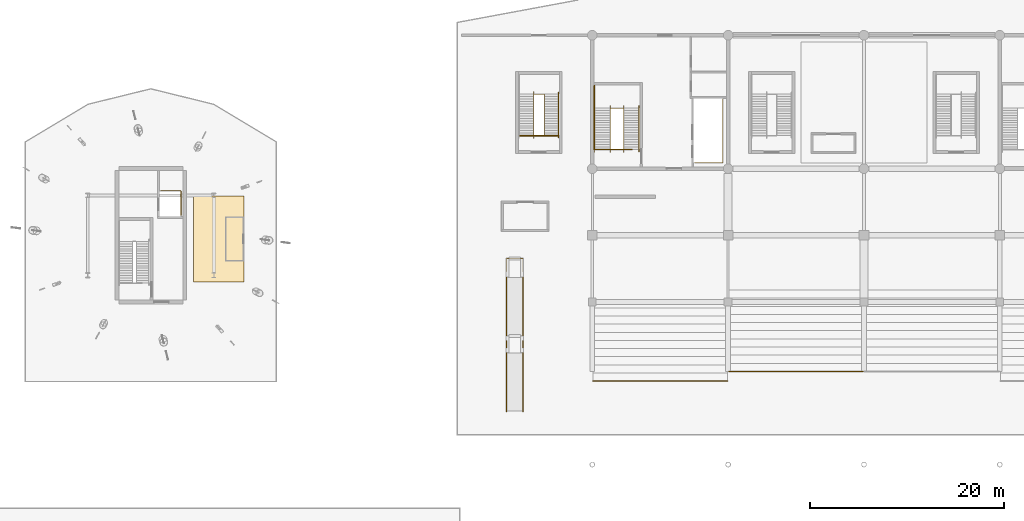
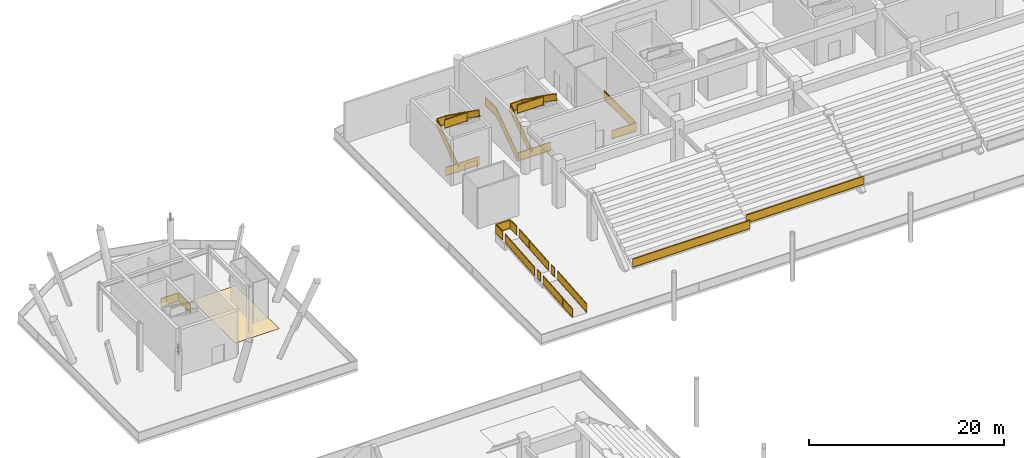
# One storey, part 69 of 73: 18 railings, 1 covering.
"""IFC4 building model written with IfcOpenShell, lengths in metres."""

import ifcopenshell
import ifcopenshell.guid

model = None  # the IFC model being written
_history = None  # IfcOwnerHistory: only IFC2X3 demands one
_inside = {}  # id of a spatial element -> (the spatial element, [elements in it])
_under = {}  # id of a project, library or spatial element -> (it, [spatial elements below it])
_declared = {}  # id of a project -> (the project, [libraries it declares])
_typed = {}  # id of a type object -> (the type object, [elements of that type])
_made_of = {}  # id of a material, layer set ... -> (it, [elements and type objects made of it])


def new_model(schema):
    """Start an empty IFC model of exactly this schema.

    Asked for "IFC4X3", IfcOpenShell would pick the latest addendum, in which some entities
    have other attributes; the version numbers below select the first issue.
    IFC2X3 requires an IfcOwnerHistory on every rooted entity: one is made here for all.
    """
    global model, _history
    if schema == "IFC4X3":
        model = ifcopenshell.file(schema_version=(4, 3, 0, 0))
    else:
        model = ifcopenshell.file(schema=schema)
    _inside.clear()
    _under.clear()
    _declared.clear()
    _typed.clear()
    _made_of.clear()
    _history = None
    if model.schema == "IFC2X3":
        org = make("IfcOrganization", Name="unknown")
        user = make(
            "IfcPersonAndOrganization",
            ThePerson=make("IfcPerson", FamilyName="unknown"),
            TheOrganization=org,
        )
        app = make(
            "IfcApplication",
            ApplicationDeveloper=org,
            Version="unknown",
            ApplicationFullName="unknown",
            ApplicationIdentifier="unknown",
        )
        _history = make(
            "IfcOwnerHistory",
            OwningUser=user,
            OwningApplication=app,
            ChangeAction="ADDED",
            CreationDate=0,
        )
    return model


def make(cls, **values):
    """One entity of the class cls with the attributes given. An attribute that is None is left unset."""
    return model.create_entity(
        cls, **{name: value for name, value in values.items() if value is not None}
    )


def rooted(cls, **values):
    """An entity with a GlobalId (a new one), such as an element, a storey or a relation."""
    return make(cls, GlobalId=ifcopenshell.guid.new(), OwnerHistory=_history, **values)


def si_unit(unit_type, name, prefix=None):
    """IfcSIUnit, for example si_unit("LENGTHUNIT", "METRE", prefix="MILLI")."""
    return make("IfcSIUnit", UnitType=unit_type, Prefix=prefix, Name=name)


def assignment(units):
    """IfcUnitAssignment: the units of a project."""
    return None if units is None else make("IfcUnitAssignment", Units=units)


def point(xyz):
    """IfcCartesianPoint."""
    return None if xyz is None else make("IfcCartesianPoint", Coordinates=xyz)


def direction(xyz):
    """IfcDirection."""
    return None if xyz is None else make("IfcDirection", DirectionRatios=xyz)


def frame(location, z_axis=None, x_axis=None):
    """IfcAxis2Placement3D, a coordinate frame: its origin and axes. An axis left out is left unset."""
    return make(
        "IfcAxis2Placement3D",
        Location=point(location),
        Axis=direction(z_axis),
        RefDirection=direction(x_axis),
    )


def frame_2d(location, x_axis=None):
    """IfcAxis2Placement2D, a coordinate frame in the plane: its origin and x axis."""
    return make(
        "IfcAxis2Placement2D", Location=point(location), RefDirection=direction(x_axis)
    )


def origin():
    """The frame at (0, 0, 0) with its axes left unset."""
    return frame((0.0, 0.0, 0.0))


def origin_2d():
    """The frame at (0, 0) in the plane with its x axis left unset."""
    return frame_2d((0.0, 0.0))


def place(relative_to, where):
    """IfcLocalPlacement: puts the frame where relative to a parent placement (None: the world)."""
    return make(
        "IfcLocalPlacement", PlacementRelTo=relative_to, RelativePlacement=where
    )


def context(
    kind, dimensions, precision=None, world=None, true_north=None, identifier=None
):
    """IfcGeometricRepresentationContext, for example the 3D "Model" context."""
    return make(
        "IfcGeometricRepresentationContext",
        ContextIdentifier=identifier,
        ContextType=kind,
        CoordinateSpaceDimension=dimensions,
        Precision=precision,
        WorldCoordinateSystem=world,
        TrueNorth=true_north,
    )


def subcontext(parent, identifier, kind, view, scale=None):
    """IfcGeometricRepresentationSubContext, for example "Body" below "Model"."""
    return make(
        "IfcGeometricRepresentationSubContext",
        ContextIdentifier=identifier,
        ContextType=kind,
        ParentContext=parent,
        TargetScale=scale,
        TargetView=view,
    )


def project(units=None, contexts=None):
    """IfcProject with its units and contexts."""
    return rooted(
        "IfcProject",
        Name="project",
        RepresentationContexts=contexts,
        UnitsInContext=assignment(units),
    )


def spatial(cls, under=None, at=None, **own):
    """A site, building, storey or space (cls), placed at a placement, below another one or the project."""
    s = rooted(cls, ObjectPlacement=at, **own)
    if under is not None:
        _under.setdefault(under.id(), (under, []))[1].append(s)
    return s


def polyline(points):
    """IfcPolyline through the points."""
    return make("IfcPolyline", Points=[point(p) for p in points])


def profile(cls, at=None, kind="AREA", **sizes):
    """A parametric profile (cls). Its sizes go by their IFC names, for example OverallWidth=200.0."""
    return make(cls, ProfileType=kind, Position=at, **sizes)


def rectangle(**sizes):
    """IfcRectangleProfileDef."""
    return profile("IfcRectangleProfileDef", **sizes)


def outline(outer, holes=None, kind="AREA"):
    """IfcArbitraryClosedProfileDef: a profile drawn as a closed curve; with holes, ...WithVoids."""
    if holes is None:
        return make("IfcArbitraryClosedProfileDef", ProfileType=kind, OuterCurve=outer)
    return make(
        "IfcArbitraryProfileDefWithVoids",
        ProfileType=kind,
        OuterCurve=outer,
        InnerCurves=holes,
    )


def extrude(swept, where, along, depth):
    """IfcExtrudedAreaSolid: the profile swept, set in the frame where, extruded along a direction by depth."""
    return make(
        "IfcExtrudedAreaSolid",
        SweptArea=swept,
        Position=where,
        ExtrudedDirection=direction(along),
        Depth=depth,
    )


def shape(context_of_items, identifier, shape_type, items):
    """IfcShapeRepresentation: the items that make up one representation, for example the "Body"."""
    return make(
        "IfcShapeRepresentation",
        ContextOfItems=context_of_items,
        RepresentationIdentifier=identifier,
        RepresentationType=shape_type,
        Items=items,
    )


def material(Name=None, Category=None):
    """IfcMaterial."""
    return make("IfcMaterial", Name=Name, Category=Category)


def layer(
    of_material, thickness, ventilated=None, Name=None, Category=None, Priority=None
):
    """IfcMaterialLayer: one layer of a wall or slab, of a material (None: an air gap)."""
    return make(
        "IfcMaterialLayer",
        Material=of_material,
        LayerThickness=thickness,
        IsVentilated=ventilated,
        Name=Name,
        Category=Category,
        Priority=Priority,
    )


def layer_set(layers, Name=None):
    """IfcMaterialLayerSet."""
    return make("IfcMaterialLayerSet", MaterialLayers=layers, LayerSetName=Name)


def made_of(thing, what):
    """Note that an element or type object is made of a material, layer set ...; save() writes the relation."""
    if what is not None:
        _made_of.setdefault(what.id(), (what, []))[1].append(thing)
    return thing


def type_object(cls, material=None, **own):
    """A type object (cls), such as IfcWallType, which elements share."""
    return made_of(rooted(cls, **own), material)


def element(
    cls,
    number,
    at=None,
    inside=None,
    cuts=None,
    type_object=None,
    material=None,
    context=None,
    identifier="Body",
    shape_type=None,
    held_by="IfcProductDefinitionShape",
    body=None,
    shapes=None,
    **own,
):
    """One element of the class cls, such as IfcWall. Its Tag is "e" and its number.

    at: its placement. inside: the storey or other place that contains it. cuts: it is an
    opening in that element (IfcRelVoidsElement). A single representation is given by context,
    identifier, shape_type and body (its items); several are given by shapes. held_by: the class
    of the entity that holds the representations. save() writes the other relations.
    """
    e = rooted(cls, Tag="e%d" % number, ObjectPlacement=at, **own)
    if body is not None:
        shapes = [shape(context, identifier, shape_type, body)]
    if shapes is not None:
        e.Representation = make(held_by, Representations=shapes)
    if inside is not None:
        _inside.setdefault(inside.id(), (inside, []))[1].append(e)
    if cuts is not None:
        rooted(
            "IfcRelVoidsElement", RelatingBuildingElement=cuts, RelatedOpeningElement=e
        )
    if type_object is not None:
        _typed.setdefault(type_object.id(), (type_object, []))[1].append(e)
    return made_of(e, material)


def aggregate(whole, parts):
    """IfcRelAggregates: a whole, such as a stair, and the parts it consists of."""
    return rooted("IfcRelAggregates", RelatingObject=whole, RelatedObjects=parts)


def save(model, path):
    """Write the relations noted so far, then the file.

    IfcRelAggregates (storeys below a building ...), IfcRelContainedInSpatialStructure (elements
    in a storey), IfcRelDefinesByType, IfcRelAssociatesMaterial and IfcRelDeclares: one each for
    every whole, place, type object, material and project.
    """
    for whole, parts in _under.values():
        aggregate(whole, parts)
    for where, things in _inside.values():
        rooted(
            "IfcRelContainedInSpatialStructure",
            RelatedElements=things,
            RelatingStructure=where,
        )
    for kind, things in _typed.values():
        rooted("IfcRelDefinesByType", RelatedObjects=things, RelatingType=kind)
    for what, things in _made_of.values():
        rooted("IfcRelAssociatesMaterial", RelatedObjects=things, RelatingMaterial=what)
    for by, libraries in _declared.values():
        rooted("IfcRelDeclares", RelatingContext=by, RelatedDefinitions=libraries)
    model.write(path)


model = new_model("IFC4")

# Units and contexts
model_context = context("Model", 3, precision=1e-05, world=origin(), true_north=direction((0.0, 1.0)))
body_context = subcontext(model_context, "Body", "Model", "MODEL_VIEW")
ifc_project = project(units=[si_unit("LENGTHUNIT", "METRE"), si_unit("AREAUNIT", "SQUARE_METRE"), si_unit("VOLUMEUNIT", "CUBIC_METRE"), si_unit("PLANEANGLEUNIT", "RADIAN"), si_unit("MASSUNIT", "GRAM", prefix="KILO")], contexts=[model_context])

# Site, building, storey
site_placement = place(None, origin())
site = spatial("IfcSite", under=ifc_project, at=site_placement, CompositionType="ELEMENT")
building_placement = place(site_placement, origin())
building = spatial("IfcBuilding", under=site, at=building_placement, Name="Linyun Crest Stadium", CompositionType="ELEMENT")
storey_placement = place(building_placement, origin())
storey = spatial("IfcBuildingStorey", under=building, at=storey_placement, Name="L01", CompositionType="ELEMENT", Elevation=0.0)

# Covering
ifc_material_1 = material(Name="Polymeric cushioned multi-sport athletic flooring")
ifc_layer = layer(ifc_material_1, 0.01806640625)
ifc_layer_set = layer_set([ifc_layer], Name="Polymeric cushioned multi-sport athletic flooring")
covering_type = type_object("IfcCoveringType", Name="FLR01", PredefinedType="FLOORING", material=ifc_layer_set)
covering_placement = place(storey_placement, origin())
element("IfcCovering", 1, at=covering_placement, inside=storey, type_object=covering_type, Name="Athletic flooring FLR01 68", PredefinedType="FLOORING", context=body_context, shape_type="SweptSolid", body=[
    extrude(outline(polyline([(-69.10009765625, 79.800048828125), (-63.89990234375, 79.800048828125), (-63.89990234375, 88.699951171875), (-69.10009765625, 88.699951171875), (-69.10009765625, 79.800048828125)])), origin(), (0.0, 0.0, 1.0), 0.01806640625),
])

# Railings
ifc_material_2 = material(Name="Verdigris painted steel botanical balustrade", Category="steel")
railing_type_1 = type_object("IfcRailingType", Name="GR01", PredefinedType="BALUSTRADE", material=ifc_material_2)
railing_1_placement = place(storey_placement, frame((-36.840087890625, 73.077880859375, 0.5)))
element("IfcRailing", 2, at=railing_1_placement, inside=storey, type_object=railing_type_1, Name="Slab edge balustrade GR01 406", PredefinedType="BALUSTRADE", context=body_context, shape_type="SweptSolid", body=[
    extrude(rectangle(XDim=0.06005859375, YDim=0.06005859375, at=origin_2d()), frame((0.0, 0.0, 1.119873046875), z_axis=(0.0, 1.0, 0.0), x_axis=(-1.0, 0.0, 0.0)), (0.0, 0.0, 1.0), 0.64404296875),
    extrude(rectangle(XDim=0.030029296875, YDim=1.02978515625, at=origin_2d()), frame((0.0, 0.0, 0.574951171875), z_axis=(0.0, 1.0, 0.0), x_axis=(-1.0, 0.0, 0.0)), (0.0, 0.0, 1.0), 0.64404296875),
    extrude(rectangle(XDim=0.06005859375, YDim=0.06005859375, at=origin_2d()), frame((0.0, 0.0, 0.030029296875), z_axis=(0.0, 1.0, 0.0), x_axis=(-1.0, 0.0, 0.0)), (0.0, 0.0, 1.0), 0.64404296875),
    extrude(rectangle(XDim=0.050048828125, YDim=0.050048828125, at=origin_2d()), origin(), (0.0, 0.0, 1.0), 1.14990234375),
    extrude(rectangle(XDim=0.050048828125, YDim=0.050048828125, at=origin_2d()), frame((0.0, 0.64404296875, 0.0)), (0.0, 0.0, 1.0), 1.14990234375),
])
railing_2_placement = place(storey_placement, frame((-35.159912109375, 73.721923828125, 0.5)))
element("IfcRailing", 3, at=railing_2_placement, inside=storey, type_object=railing_type_1, Name="Slab edge balustrade GR01 407", PredefinedType="BALUSTRADE", context=body_context, shape_type="SweptSolid", body=[
    extrude(rectangle(XDim=0.06005859375, YDim=0.06005859375, at=origin_2d()), frame((0.0, 0.0, 1.119873046875), z_axis=(0.0, -1.0, 0.0), x_axis=(1.0, 0.0, 0.0)), (0.0, 0.0, 1.0), 0.64404296875),
    extrude(rectangle(XDim=0.030029296875, YDim=1.02978515625, at=origin_2d()), frame((0.0, 0.0, 0.574951171875), z_axis=(0.0, -1.0, 0.0), x_axis=(1.0, 0.0, 0.0)), (0.0, 0.0, 1.0), 0.64404296875),
    extrude(rectangle(XDim=0.06005859375, YDim=0.06005859375, at=origin_2d()), frame((0.0, 0.0, 0.030029296875), z_axis=(0.0, -1.0, 0.0), x_axis=(1.0, 0.0, 0.0)), (0.0, 0.0, 1.0), 0.64404296875),
    extrude(rectangle(XDim=0.050048828125, YDim=0.050048828125, at=origin_2d()), origin(), (0.0, 0.0, 1.0), 1.14990234375),
    extrude(rectangle(XDim=0.050048828125, YDim=0.050048828125, at=origin_2d()), frame((0.0, -0.64404296875, 0.0)), (0.0, 0.0, 1.0), 1.14990234375),
])
railing_3_placement = place(storey_placement, frame((-36.840087890625, 80.8779296875, 1.0)))
element("IfcRailing", 4, at=railing_3_placement, inside=storey, type_object=railing_type_1, Name="Slab edge balustrade GR01 408", PredefinedType="BALUSTRADE", context=body_context, shape_type="SweptSolid", body=[
    extrude(rectangle(XDim=0.06005859375, YDim=0.06005859375, at=origin_2d()), frame((0.0, 0.0, 1.119873046875), z_axis=(0.0, 1.0, 0.0), x_axis=(-1.0, 0.0, 0.0)), (0.0, 0.0, 1.0), 1.362060546875),
    extrude(rectangle(XDim=0.030029296875, YDim=1.02978515625, at=origin_2d()), frame((0.0, 0.0, 0.574951171875), z_axis=(0.0, 1.0, 0.0), x_axis=(-1.0, 0.0, 0.0)), (0.0, 0.0, 1.0), 1.362060546875),
    extrude(rectangle(XDim=0.06005859375, YDim=0.06005859375, at=origin_2d()), frame((0.0, 0.0, 0.030029296875), z_axis=(0.0, 1.0, 0.0), x_axis=(-1.0, 0.0, 0.0)), (0.0, 0.0, 1.0), 1.362060546875),
    extrude(rectangle(XDim=0.06005859375, YDim=0.06005859375, at=origin_2d()), frame((0.0, 1.362060546875, 1.119873046875), z_axis=(1.0, 0.0, 0.0), x_axis=(0.0, 1.0, 0.0)), (0.0, 0.0, 1.0), 1.68017578125),
    extrude(rectangle(XDim=0.030029296875, YDim=1.02978515625, at=origin_2d()), frame((0.0, 1.362060546875, 0.574951171875), z_axis=(1.0, 0.0, 0.0), x_axis=(0.0, 1.0, 0.0)), (0.0, 0.0, 1.0), 1.68017578125),
    extrude(rectangle(XDim=0.06005859375, YDim=0.06005859375, at=origin_2d()), frame((0.0, 1.362060546875, 0.030029296875), z_axis=(1.0, 0.0, 0.0), x_axis=(0.0, 1.0, 0.0)), (0.0, 0.0, 1.0), 1.68017578125),
    extrude(rectangle(XDim=0.06005859375, YDim=0.06005859375, at=origin_2d()), frame((1.68017578125, 1.362060546875, 1.119873046875), z_axis=(0.0, -1.0, 0.0), x_axis=(1.0, 0.0, 0.0)), (0.0, 0.0, 1.0), 1.362060546875),
    extrude(rectangle(XDim=0.030029296875, YDim=1.02978515625, at=origin_2d()), frame((1.68017578125, 1.362060546875, 0.574951171875), z_axis=(0.0, -1.0, 0.0), x_axis=(1.0, 0.0, 0.0)), (0.0, 0.0, 1.0), 1.362060546875),
    extrude(rectangle(XDim=0.06005859375, YDim=0.06005859375, at=origin_2d()), frame((1.68017578125, 1.362060546875, 0.030029296875), z_axis=(0.0, -1.0, 0.0), x_axis=(1.0, 0.0, 0.0)), (0.0, 0.0, 1.0), 1.362060546875),
    extrude(rectangle(XDim=0.050048828125, YDim=0.050048828125, at=origin_2d()), origin(), (0.0, 0.0, 1.0), 1.14990234375),
    extrude(rectangle(XDim=0.050048828125, YDim=0.050048828125, at=origin_2d()), frame((0.0, 1.362060546875, 0.0)), (0.0, 0.0, 1.0), 1.14990234375),
    extrude(rectangle(XDim=0.050048828125, YDim=0.050048828125, at=origin_2d()), frame((1.68017578125, 1.362060546875, 0.0)), (0.0, 0.0, 1.0), 1.14990234375),
    extrude(rectangle(XDim=0.050048828125, YDim=0.050048828125, at=origin_2d()), frame((1.68017578125, 0.0, 0.0)), (0.0, 0.0, 1.0), 1.14990234375),
])
ifc_material_3 = material(Name="Galvanized and powder-coated steel bowl safety barrier", Category="steel")
railing_type_2 = type_object("IfcRailingType", Name="GR02", PredefinedType="GUARDRAIL", material=ifc_material_3)
for number, where, name in (
    (5, (-27.919921875, 69.60009765625, 1.25), "Bowl front safety guard GR02 57"),
    (6, (-13.919921875, 70.60009765625, 1.25), "Bowl front safety guard GR02 64"),
):
    element("IfcRailing", number, at=place(storey_placement, frame(where)), inside=storey, type_object=railing_type_2, Name=name, PredefinedType="GUARDRAIL", context=body_context, shape_type="SweptSolid", body=[
        extrude(rectangle(XDim=0.06005859375, YDim=0.06005859375, at=origin_2d()), frame((0.0, 0.0, 1.090087890625), z_axis=(1.0, 0.0, 0.0), x_axis=(0.0, 1.0, 0.0)), (0.0, 0.0, 1.0), 13.83984375),
        extrude(rectangle(XDim=0.030029296875, YDim=1.0, at=origin_2d()), frame((0.0, 0.0, 0.56005859375), z_axis=(1.0, 0.0, 0.0), x_axis=(0.0, 1.0, 0.0)), (0.0, 0.0, 1.0), 13.83984375),
        extrude(rectangle(XDim=0.06005859375, YDim=0.06005859375, at=origin_2d()), frame((0.0, 0.0, 0.030029296875), z_axis=(1.0, 0.0, 0.0), x_axis=(0.0, 1.0, 0.0)), (0.0, 0.0, 1.0), 13.83984375),
        extrude(rectangle(XDim=0.050048828125, YDim=0.050048828125, at=origin_2d()), origin(), (0.0, 0.0, 1.0), 1.1201171875),
        extrude(rectangle(XDim=0.050048828125, YDim=0.050048828125, at=origin_2d()), frame((2.306640625, 0.0, 0.0)), (0.0, 0.0, 1.0), 1.1201171875),
        extrude(rectangle(XDim=0.050048828125, YDim=0.050048828125, at=origin_2d()), frame((4.61328125, 0.0, 0.0)), (0.0, 0.0, 1.0), 1.1201171875),
        extrude(rectangle(XDim=0.050048828125, YDim=0.050048828125, at=origin_2d()), frame((6.919921875, 0.0, 0.0)), (0.0, 0.0, 1.0), 1.1201171875),
        extrude(rectangle(XDim=0.050048828125, YDim=0.050048828125, at=origin_2d()), frame((9.2265625, 0.0, 0.0)), (0.0, 0.0, 1.0), 1.1201171875),
        extrude(rectangle(XDim=0.050048828125, YDim=0.050048828125, at=origin_2d()), frame((11.533203125, 0.0, 0.0)), (0.0, 0.0, 1.0), 1.1201171875),
        extrude(rectangle(XDim=0.050048828125, YDim=0.050048828125, at=origin_2d()), frame((13.83984375, 0.0, 0.0)), (0.0, 0.0, 1.0), 1.1201171875),
    ])
railing_4_placement = place(storey_placement, frame((-17.419921875, 92.090087890625, 0.0)))
element("IfcRailing", 7, at=railing_4_placement, inside=storey, type_object=railing_type_2, Name="Slab edge balustrade GR02 194", PredefinedType="GUARDRAIL", context=body_context, shape_type="SweptSolid", body=[
    extrude(rectangle(XDim=0.06005859375, YDim=0.06005859375, at=origin_2d()), frame((0.0, 0.0, 1.090087890625), z_axis=(1.0, 0.0, 0.0), x_axis=(0.0, 1.0, 0.0)), (0.0, 0.0, 1.0), 2.8798828125),
    extrude(rectangle(XDim=0.030029296875, YDim=1.0, at=origin_2d()), frame((0.0, 0.0, 0.56005859375), z_axis=(1.0, 0.0, 0.0), x_axis=(0.0, 1.0, 0.0)), (0.0, 0.0, 1.0), 2.8798828125),
    extrude(rectangle(XDim=0.06005859375, YDim=0.06005859375, at=origin_2d()), frame((0.0, 0.0, 0.030029296875), z_axis=(1.0, 0.0, 0.0), x_axis=(0.0, 1.0, 0.0)), (0.0, 0.0, 1.0), 2.8798828125),
    extrude(rectangle(XDim=0.06005859375, YDim=0.06005859375, at=origin_2d()), frame((2.8798828125, 0.0, 1.090087890625), z_axis=(0.0, 1.0, 0.0), x_axis=(-1.0, 0.0, 0.0)), (0.0, 0.0, 1.0), 6.5498046875),
    extrude(rectangle(XDim=0.030029296875, YDim=1.0, at=origin_2d()), frame((2.8798828125, 0.0, 0.56005859375), z_axis=(0.0, 1.0, 0.0), x_axis=(-1.0, 0.0, 0.0)), (0.0, 0.0, 1.0), 6.5498046875),
    extrude(rectangle(XDim=0.06005859375, YDim=0.06005859375, at=origin_2d()), frame((2.8798828125, 0.0, 0.030029296875), z_axis=(0.0, 1.0, 0.0), x_axis=(-1.0, 0.0, 0.0)), (0.0, 0.0, 1.0), 6.5498046875),
    extrude(rectangle(XDim=0.050048828125, YDim=0.050048828125, at=origin_2d()), origin(), (0.0, 0.0, 1.0), 1.1201171875),
    extrude(rectangle(XDim=0.050048828125, YDim=0.050048828125, at=origin_2d()), frame((2.8798828125, 0.0, 0.0)), (0.0, 0.0, 1.0), 1.1201171875),
    extrude(rectangle(XDim=0.050048828125, YDim=0.050048828125, at=origin_2d()), frame((2.8798828125, 3.27490234375, 0.0)), (0.0, 0.0, 1.0), 1.1201171875),
    extrude(rectangle(XDim=0.050048828125, YDim=0.050048828125, at=origin_2d()), frame((2.8798828125, 6.5498046875, 0.0)), (0.0, 0.0, 1.0), 1.1201171875),
])
railing_5_placement = place(storey_placement, frame((-27.68505859375, 93.4599609375, 0.0)))
element("IfcRailing", 8, at=railing_5_placement, inside=storey, type_object=railing_type_2, Name="Slab edge balustrade GR02 195", PredefinedType="GUARDRAIL", context=body_context, shape_type="SweptSolid", body=[
    extrude(rectangle(XDim=0.06005859375, YDim=0.06005859375, at=origin_2d()), frame((0.0, 0.0, 1.090087890625), z_axis=(1.0, 0.0, 0.0), x_axis=(0.0, 1.0, 0.0)), (0.0, 0.0, 1.0), 3.78515625),
    extrude(rectangle(XDim=0.030029296875, YDim=1.0, at=origin_2d()), frame((0.0, 0.0, 0.56005859375), z_axis=(1.0, 0.0, 0.0), x_axis=(0.0, 1.0, 0.0)), (0.0, 0.0, 1.0), 3.78515625),
    extrude(rectangle(XDim=0.06005859375, YDim=0.06005859375, at=origin_2d()), frame((0.0, 0.0, 0.030029296875), z_axis=(1.0, 0.0, 0.0), x_axis=(0.0, 1.0, 0.0)), (0.0, 0.0, 1.0), 3.78515625),
    extrude(rectangle(XDim=0.050048828125, YDim=0.050048828125, at=origin_2d()), origin(), (0.0, 0.0, 1.0), 1.1201171875),
    extrude(rectangle(XDim=0.050048828125, YDim=0.050048828125, at=origin_2d()), frame((3.78515625, 0.0, 0.0)), (0.0, 0.0, 1.0), 1.1201171875),
])
railing_6_placement = place(storey_placement, frame((-35.4599609375, 94.889892578125, 0.0)))
element("IfcRailing", 9, at=railing_6_placement, inside=storey, type_object=railing_type_2, Name="Slab edge balustrade GR02 196", PredefinedType="GUARDRAIL", context=body_context, shape_type="SweptSolid", body=[
    extrude(rectangle(XDim=0.06005859375, YDim=0.06005859375, at=origin_2d()), frame((0.0, 0.0, 1.090087890625), z_axis=(1.0, 0.0, 0.0), x_axis=(0.0, 1.0, 0.0)), (0.0, 0.0, 1.0), 3.919921875),
    extrude(rectangle(XDim=0.030029296875, YDim=1.0, at=origin_2d()), frame((0.0, 0.0, 0.56005859375), z_axis=(1.0, 0.0, 0.0), x_axis=(0.0, 1.0, 0.0)), (0.0, 0.0, 1.0), 3.919921875),
    extrude(rectangle(XDim=0.06005859375, YDim=0.06005859375, at=origin_2d()), frame((0.0, 0.0, 0.030029296875), z_axis=(1.0, 0.0, 0.0), x_axis=(0.0, 1.0, 0.0)), (0.0, 0.0, 1.0), 3.919921875),
    extrude(rectangle(XDim=0.050048828125, YDim=0.050048828125, at=origin_2d()), origin(), (0.0, 0.0, 1.0), 1.1201171875),
    extrude(rectangle(XDim=0.050048828125, YDim=0.050048828125, at=origin_2d()), frame((3.919921875, 0.0, 0.0)), (0.0, 0.0, 1.0), 1.1201171875),
])
railing_7_placement = place(storey_placement, frame((-70.389892578125, 86.68994140625, 0.0)))
element("IfcRailing", 10, at=railing_7_placement, inside=storey, type_object=railing_type_2, Name="Slab edge balustrade GR02 278", PredefinedType="GUARDRAIL", context=body_context, shape_type="SweptSolid", body=[
    extrude(rectangle(XDim=0.06005859375, YDim=0.06005859375, at=origin_2d()), frame((0.0, 0.0, 1.090087890625), z_axis=(0.0, 1.0, 0.0), x_axis=(-1.0, 0.0, 0.0)), (0.0, 0.0, 1.0), 2.52001953125),
    extrude(rectangle(XDim=0.030029296875, YDim=1.0, at=origin_2d()), frame((0.0, 0.0, 0.56005859375), z_axis=(0.0, 1.0, 0.0), x_axis=(-1.0, 0.0, 0.0)), (0.0, 0.0, 1.0), 2.52001953125),
    extrude(rectangle(XDim=0.06005859375, YDim=0.06005859375, at=origin_2d()), frame((0.0, 0.0, 0.030029296875), z_axis=(0.0, 1.0, 0.0), x_axis=(-1.0, 0.0, 0.0)), (0.0, 0.0, 1.0), 2.52001953125),
    extrude(rectangle(XDim=0.06005859375, YDim=0.06005859375, at=origin_2d()), frame((0.0, 2.52001953125, 1.090087890625), z_axis=(-1.0, 0.0, 0.0), x_axis=(0.0, -1.0, 0.0)), (0.0, 0.0, 1.0), 2.080078125),
    extrude(rectangle(XDim=0.030029296875, YDim=1.0, at=origin_2d()), frame((0.0, 2.52001953125, 0.56005859375), z_axis=(-1.0, 0.0, 0.0), x_axis=(0.0, -1.0, 0.0)), (0.0, 0.0, 1.0), 2.080078125),
    extrude(rectangle(XDim=0.06005859375, YDim=0.06005859375, at=origin_2d()), frame((0.0, 2.52001953125, 0.030029296875), z_axis=(-1.0, 0.0, 0.0), x_axis=(0.0, -1.0, 0.0)), (0.0, 0.0, 1.0), 2.080078125),
    extrude(rectangle(XDim=0.050048828125, YDim=0.050048828125, at=origin_2d()), origin(), (0.0, 0.0, 1.0), 1.1201171875),
    extrude(rectangle(XDim=0.050048828125, YDim=0.050048828125, at=origin_2d()), frame((0.0, 2.52001953125, 0.0)), (0.0, 0.0, 1.0), 1.1201171875),
    extrude(rectangle(XDim=0.050048828125, YDim=0.050048828125, at=origin_2d()), frame((-2.080078125, 2.52001953125, 0.0)), (0.0, 0.0, 1.0), 1.1201171875),
])
ifc_material_4 = material(Name="Painted steel stairwell safety guard", Category="steel")
railing_type_3 = type_object("IfcRailingType", Name="GR03", PredefinedType="GUARDRAIL", material=ifc_material_4)
railing_8_placement = place(storey_placement, frame((-27.794921875, 93.489990234375, 0.0)))
element("IfcRailing", 11, at=railing_8_placement, inside=storey, type_object=railing_type_3, Name="STR-07-L01 outer guard", PredefinedType="GUARDRAIL", context=body_context, shape_type="SweptSolid", body=[
    extrude(rectangle(XDim=0.06005859375, YDim=0.06005859375, at=origin_2d()), frame((0.0, 0.0, 1.090087890625), z_axis=(0.0, 0.816967863265, 0.576683197599), x_axis=(-1.0, 0.0, 0.0)), (0.0, 0.0, 1.0), 5.2021484375),
    extrude(rectangle(XDim=0.030029296875, YDim=1.0, at=origin_2d()), frame((0.0, 0.0, 0.56005859375), z_axis=(0.0, 0.816967863265, 0.576683197599), x_axis=(-1.0, 0.0, 0.0)), (0.0, 0.0, 1.0), 5.2021484375),
    extrude(rectangle(XDim=0.06005859375, YDim=0.06005859375, at=origin_2d()), frame((0.0, 0.0, 0.030029296875), z_axis=(0.0, 0.816967863265, 0.576683197599), x_axis=(-1.0, 0.0, 0.0)), (0.0, 0.0, 1.0), 5.2021484375),
    extrude(rectangle(XDim=0.06005859375, YDim=0.06005859375, at=origin_2d()), frame((0.0, 4.25, 4.090087890625), z_axis=(0.0, 1.0, 0.0), x_axis=(-1.0, 0.0, 0.0)), (0.0, 0.0, 1.0), 2.330078125),
    extrude(rectangle(XDim=0.030029296875, YDim=1.0, at=origin_2d()), frame((0.0, 4.25, 3.56005859375), z_axis=(0.0, 1.0, 0.0), x_axis=(-1.0, 0.0, 0.0)), (0.0, 0.0, 1.0), 2.330078125),
    extrude(rectangle(XDim=0.06005859375, YDim=0.06005859375, at=origin_2d()), frame((0.0, 4.25, 3.030029296875), z_axis=(0.0, 1.0, 0.0), x_axis=(-1.0, 0.0, 0.0)), (0.0, 0.0, 1.0), 2.330078125),
    extrude(rectangle(XDim=0.050048828125, YDim=0.050048828125, at=origin_2d()), origin(), (0.0, 0.0, 1.0), 1.1201171875),
    extrude(rectangle(XDim=0.050048828125, YDim=0.050048828125, at=origin_2d()), frame((0.0, 1.416748046875, 1.0)), (0.0, 0.0, 1.0), 1.1201171875),
    extrude(rectangle(XDim=0.050048828125, YDim=0.050048828125, at=origin_2d()), frame((0.0, 2.833251953125, 2.0)), (0.0, 0.0, 1.0), 1.1201171875),
    extrude(rectangle(XDim=0.050048828125, YDim=0.050048828125, at=origin_2d()), frame((0.0, 4.25, 3.0)), (0.0, 0.0, 1.0), 1.1201171875),
    extrude(rectangle(XDim=0.050048828125, YDim=0.050048828125, at=origin_2d()), frame((0.0, 5.4150390625, 3.0)), (0.0, 0.0, 1.0), 1.1201171875),
    extrude(rectangle(XDim=0.050048828125, YDim=0.050048828125, at=origin_2d()), frame((0.0, 6.580078125, 3.0)), (0.0, 0.0, 1.0), 1.1201171875),
])
railing_9_placement = place(storey_placement, frame((-26.155029296875, 93.469970703125, 0.0)))
element("IfcRailing", 12, at=railing_9_placement, inside=storey, type_object=railing_type_3, Name="STR-07-L01 inner well guard", PredefinedType="GUARDRAIL", context=body_context, shape_type="SweptSolid", body=[
    extrude(rectangle(XDim=0.06005859375, YDim=0.06005859375, at=origin_2d()), frame((0.0, 0.0, 1.090087890625), z_axis=(0.0, 0.818241657069, 0.574874412926), x_axis=(-1.0, 0.0, 0.0)), (0.0, 0.0, 1.0), 5.218505859375),
    extrude(rectangle(XDim=0.030029296875, YDim=1.0, at=origin_2d()), frame((0.0, 0.0, 0.56005859375), z_axis=(0.0, 0.818241657069, 0.574874412926), x_axis=(-1.0, 0.0, 0.0)), (0.0, 0.0, 1.0), 5.218505859375),
    extrude(rectangle(XDim=0.06005859375, YDim=0.06005859375, at=origin_2d()), frame((0.0, 0.0, 0.030029296875), z_axis=(0.0, 0.818241657069, 0.574874412926), x_axis=(-1.0, 0.0, 0.0)), (0.0, 0.0, 1.0), 5.218505859375),
    extrude(rectangle(XDim=0.06005859375, YDim=0.06005859375, at=origin_2d()), frame((0.0, 4.27001953125, 4.090087890625), z_axis=(1.0, 0.0, 0.0), x_axis=(0.0, 1.0, 0.0)), (0.0, 0.0, 1.0), 1.385009765625),
    extrude(rectangle(XDim=0.030029296875, YDim=1.0, at=origin_2d()), frame((0.0, 4.27001953125, 3.56005859375), z_axis=(1.0, 0.0, 0.0), x_axis=(0.0, 1.0, 0.0)), (0.0, 0.0, 1.0), 1.385009765625),
    extrude(rectangle(XDim=0.06005859375, YDim=0.06005859375, at=origin_2d()), frame((0.0, 4.27001953125, 3.030029296875), z_axis=(1.0, 0.0, 0.0), x_axis=(0.0, 1.0, 0.0)), (0.0, 0.0, 1.0), 1.385009765625),
    extrude(rectangle(XDim=0.06005859375, YDim=0.06005859375, at=origin_2d()), frame((1.385009765625, 4.27001953125, 4.090087890625), z_axis=(0.0, -0.818241657069, 0.574874412926), x_axis=(1.0, 0.0, 0.0)), (0.0, 0.0, 1.0), 5.218505859375),
    extrude(rectangle(XDim=0.030029296875, YDim=1.0, at=origin_2d()), frame((1.385009765625, 4.27001953125, 3.56005859375), z_axis=(0.0, -0.818241657069, 0.574874412926), x_axis=(1.0, 0.0, 0.0)), (0.0, 0.0, 1.0), 5.218505859375),
    extrude(rectangle(XDim=0.06005859375, YDim=0.06005859375, at=origin_2d()), frame((1.385009765625, 4.27001953125, 3.030029296875), z_axis=(0.0, -0.818241657069, 0.574874412926), x_axis=(1.0, 0.0, 0.0)), (0.0, 0.0, 1.0), 5.218505859375),
    extrude(rectangle(XDim=0.06005859375, YDim=0.06005859375, at=origin_2d()), frame((1.385009765625, 0.0, 7.090087890625), z_axis=(-1.0, 0.0, 0.0), x_axis=(0.0, -1.0, 0.0)), (0.0, 0.0, 1.0), 3.034912109375),
    extrude(rectangle(XDim=0.030029296875, YDim=1.0, at=origin_2d()), frame((1.385009765625, 0.0, 6.56005859375), z_axis=(-1.0, 0.0, 0.0), x_axis=(0.0, -1.0, 0.0)), (0.0, 0.0, 1.0), 3.034912109375),
    extrude(rectangle(XDim=0.06005859375, YDim=0.06005859375, at=origin_2d()), frame((1.385009765625, 0.0, 6.030029296875), z_axis=(-1.0, 0.0, 0.0), x_axis=(0.0, -1.0, 0.0)), (0.0, 0.0, 1.0), 3.034912109375),
    extrude(rectangle(XDim=0.050048828125, YDim=0.050048828125, at=origin_2d()), origin(), (0.0, 0.0, 1.0), 1.1201171875),
    extrude(rectangle(XDim=0.050048828125, YDim=0.050048828125, at=origin_2d()), frame((0.0, 1.42333984375, 1.0)), (0.0, 0.0, 1.0), 1.1201171875),
    extrude(rectangle(XDim=0.050048828125, YDim=0.050048828125, at=origin_2d()), frame((0.0, 2.8466796875, 2.0)), (0.0, 0.0, 1.0), 1.1201171875),
    extrude(rectangle(XDim=0.050048828125, YDim=0.050048828125, at=origin_2d()), frame((0.0, 4.27001953125, 3.0)), (0.0, 0.0, 1.0), 1.1201171875),
    extrude(rectangle(XDim=0.050048828125, YDim=0.050048828125, at=origin_2d()), frame((1.385009765625, 4.27001953125, 3.0)), (0.0, 0.0, 1.0), 1.1201171875),
    extrude(rectangle(XDim=0.050048828125, YDim=0.050048828125, at=origin_2d()), frame((1.385009765625, 2.8466796875, 4.0)), (0.0, 0.0, 1.0), 1.1201171875),
    extrude(rectangle(XDim=0.050048828125, YDim=0.050048828125, at=origin_2d()), frame((1.385009765625, 1.42333984375, 5.0)), (0.0, 0.0, 1.0), 1.1201171875),
    extrude(rectangle(XDim=0.050048828125, YDim=0.050048828125, at=origin_2d()), frame((1.385009765625, 0.0, 6.0)), (0.0, 0.0, 1.0), 1.1201171875),
    extrude(rectangle(XDim=0.050048828125, YDim=0.050048828125, at=origin_2d()), frame((-0.13232421875, 0.0, 6.0)), (0.0, 0.0, 1.0), 1.1201171875),
    extrude(rectangle(XDim=0.050048828125, YDim=0.050048828125, at=origin_2d()), frame((-1.64990234375, 0.0, 6.0)), (0.0, 0.0, 1.0), 1.1201171875),
])
railing_10_placement = place(storey_placement, frame((-34.030029296875, 94.89990234375, 0.0)))
element("IfcRailing", 13, at=railing_10_placement, inside=storey, type_object=railing_type_3, Name="STR-23-L01 inner well guard", PredefinedType="GUARDRAIL", context=body_context, shape_type="SweptSolid", body=[
    extrude(rectangle(XDim=0.06005859375, YDim=0.06005859375, at=origin_2d()), frame((0.0, 0.0, 1.090087890625), z_axis=(0.0, 0.818241657069, 0.574874412926), x_axis=(-1.0, 0.0, 0.0)), (0.0, 0.0, 1.0), 5.218505859375),
    extrude(rectangle(XDim=0.030029296875, YDim=1.0, at=origin_2d()), frame((0.0, 0.0, 0.56005859375), z_axis=(0.0, 0.818241657069, 0.574874412926), x_axis=(-1.0, 0.0, 0.0)), (0.0, 0.0, 1.0), 5.218505859375),
    extrude(rectangle(XDim=0.06005859375, YDim=0.06005859375, at=origin_2d()), frame((0.0, 0.0, 0.030029296875), z_axis=(0.0, 0.818241657069, 0.574874412926), x_axis=(-1.0, 0.0, 0.0)), (0.0, 0.0, 1.0), 5.218505859375),
    extrude(rectangle(XDim=0.06005859375, YDim=0.06005859375, at=origin_2d()), frame((0.0, 4.27001953125, 4.090087890625), z_axis=(1.0, 0.0, 0.0), x_axis=(0.0, 1.0, 0.0)), (0.0, 0.0, 1.0), 1.06005859375),
    extrude(rectangle(XDim=0.030029296875, YDim=1.0, at=origin_2d()), frame((0.0, 4.27001953125, 3.56005859375), z_axis=(1.0, 0.0, 0.0), x_axis=(0.0, 1.0, 0.0)), (0.0, 0.0, 1.0), 1.06005859375),
    extrude(rectangle(XDim=0.06005859375, YDim=0.06005859375, at=origin_2d()), frame((0.0, 4.27001953125, 3.030029296875), z_axis=(1.0, 0.0, 0.0), x_axis=(0.0, 1.0, 0.0)), (0.0, 0.0, 1.0), 1.06005859375),
    extrude(rectangle(XDim=0.06005859375, YDim=0.06005859375, at=origin_2d()), frame((1.06005859375, 4.27001953125, 4.090087890625), z_axis=(0.0, -0.818241657069, 0.574874412926), x_axis=(1.0, 0.0, 0.0)), (0.0, 0.0, 1.0), 5.218505859375),
    extrude(rectangle(XDim=0.030029296875, YDim=1.0, at=origin_2d()), frame((1.06005859375, 4.27001953125, 3.56005859375), z_axis=(0.0, -0.818241657069, 0.574874412926), x_axis=(1.0, 0.0, 0.0)), (0.0, 0.0, 1.0), 5.218505859375),
    extrude(rectangle(XDim=0.06005859375, YDim=0.06005859375, at=origin_2d()), frame((1.06005859375, 4.27001953125, 3.030029296875), z_axis=(0.0, -0.818241657069, 0.574874412926), x_axis=(1.0, 0.0, 0.0)), (0.0, 0.0, 1.0), 5.218505859375),
    extrude(rectangle(XDim=0.06005859375, YDim=0.06005859375, at=origin_2d()), frame((1.06005859375, 0.0, 7.090087890625), z_axis=(-1.0, 0.0, 0.0), x_axis=(0.0, -1.0, 0.0)), (0.0, 0.0, 1.0), 2.610107421875),
    extrude(rectangle(XDim=0.030029296875, YDim=1.0, at=origin_2d()), frame((1.06005859375, 0.0, 6.56005859375), z_axis=(-1.0, 0.0, 0.0), x_axis=(0.0, -1.0, 0.0)), (0.0, 0.0, 1.0), 2.610107421875),
    extrude(rectangle(XDim=0.06005859375, YDim=0.06005859375, at=origin_2d()), frame((1.06005859375, 0.0, 6.030029296875), z_axis=(-1.0, 0.0, 0.0), x_axis=(0.0, -1.0, 0.0)), (0.0, 0.0, 1.0), 2.610107421875),
    extrude(rectangle(XDim=0.050048828125, YDim=0.050048828125, at=origin_2d()), origin(), (0.0, 0.0, 1.0), 1.1201171875),
    extrude(rectangle(XDim=0.050048828125, YDim=0.050048828125, at=origin_2d()), frame((0.0, 1.42333984375, 1.0)), (0.0, 0.0, 1.0), 1.1201171875),
    extrude(rectangle(XDim=0.050048828125, YDim=0.050048828125, at=origin_2d()), frame((0.0, 2.8466796875, 2.0)), (0.0, 0.0, 1.0), 1.1201171875),
    extrude(rectangle(XDim=0.050048828125, YDim=0.050048828125, at=origin_2d()), frame((0.0, 4.27001953125, 3.0)), (0.0, 0.0, 1.0), 1.1201171875),
    extrude(rectangle(XDim=0.050048828125, YDim=0.050048828125, at=origin_2d()), frame((1.06005859375, 4.27001953125, 3.0)), (0.0, 0.0, 1.0), 1.1201171875),
    extrude(rectangle(XDim=0.050048828125, YDim=0.050048828125, at=origin_2d()), frame((1.06005859375, 2.8466796875, 4.0)), (0.0, 0.0, 1.0), 1.1201171875),
    extrude(rectangle(XDim=0.050048828125, YDim=0.050048828125, at=origin_2d()), frame((1.06005859375, 1.42333984375, 5.0)), (0.0, 0.0, 1.0), 1.1201171875),
    extrude(rectangle(XDim=0.050048828125, YDim=0.050048828125, at=origin_2d()), frame((1.06005859375, 0.0, 6.0)), (0.0, 0.0, 1.0), 1.1201171875),
    extrude(rectangle(XDim=0.050048828125, YDim=0.050048828125, at=origin_2d()), frame((-0.2451171875, 0.0, 6.0)), (0.0, 0.0, 1.0), 1.1201171875),
    extrude(rectangle(XDim=0.050048828125, YDim=0.050048828125, at=origin_2d()), frame((-1.550048828125, 0.0, 6.0)), (0.0, 0.0, 1.0), 1.1201171875),
])
for number, where, name in (
    (14, (-36.85009765625, 66.5, 0.0), "RMP-07 guard 1W"),
    (15, (-35.14990234375, 66.5, 0.0), "RMP-07 guard 1E"),
    (16, (-36.85009765625, 74.300048828125, 0.5), "RMP-07 guard 2W"),
    (17, (-35.14990234375, 74.300048828125, 0.5), "RMP-07 guard 2E"),
):
    element("IfcRailing", number, at=place(storey_placement, frame(where)), inside=storey, type_object=railing_type_3, Name=name, PredefinedType="GUARDRAIL", context=body_context, shape_type="SweptSolid", body=[
        extrude(rectangle(XDim=0.06005859375, YDim=0.06005859375, at=origin_2d()), frame((0.0, 0.0, 1.090087890625), z_axis=(0.0, 0.996545758245, 0.083045479854), x_axis=(-1.0, 0.0, 0.0)), (0.0, 0.0, 1.0), 6.020751953125),
        extrude(rectangle(XDim=0.030029296875, YDim=1.0, at=origin_2d()), frame((0.0, 0.0, 0.56005859375), z_axis=(0.0, 0.996545758245, 0.083045479854), x_axis=(-1.0, 0.0, 0.0)), (0.0, 0.0, 1.0), 6.020751953125),
        extrude(rectangle(XDim=0.06005859375, YDim=0.06005859375, at=origin_2d()), frame((0.0, 0.0, 0.030029296875), z_axis=(0.0, 0.996545758245, 0.083045479854), x_axis=(-1.0, 0.0, 0.0)), (0.0, 0.0, 1.0), 6.020751953125),
        extrude(rectangle(XDim=0.050048828125, YDim=0.050048828125, at=origin_2d()), origin(), (0.0, 0.0, 1.0), 1.1201171875),
        extrude(rectangle(XDim=0.050048828125, YDim=0.050048828125, at=origin_2d()), frame((0.0, 2.0, 0.166748046875)), (0.0, 0.0, 1.0), 1.1201171875),
        extrude(rectangle(XDim=0.050048828125, YDim=0.050048828125, at=origin_2d()), frame((0.0, 4.0, 0.333251953125)), (0.0, 0.0, 1.0), 1.1201171875),
        extrude(rectangle(XDim=0.050048828125, YDim=0.050048828125, at=origin_2d()), frame((0.0, 6.0, 0.5)), (0.0, 0.0, 1.0), 1.1201171875),
    ])
ifc_material_5 = material(Name="Brushed stainless steel tubular handrail", Category="steel")
railing_type_4 = type_object("IfcRailingType", Name="HR01", PredefinedType="HANDRAIL", material=ifc_material_5)
for number, where, name in (
    (18, (-23.179931640625, 97.739990234375, 3.0), "STR-07-L01 handrail"),
    (19, (-31.47998046875, 99.169921875, 3.0), "STR-23-L01 handrail"),
):
    element("IfcRailing", number, at=place(storey_placement, frame(where)), inside=storey, type_object=railing_type_4, Name=name, PredefinedType="HANDRAIL", context=body_context, shape_type="SweptSolid", body=[
        extrude(rectangle(XDim=0.06005859375, YDim=0.06005859375, at=origin_2d()), frame((0.0, 0.0, 0.889892578125), z_axis=(0.0, -0.816967863265, 0.576683197599), x_axis=(1.0, 0.0, 0.0)), (0.0, 0.0, 1.0), 5.2021484375),
        extrude(rectangle(XDim=0.030029296875, YDim=0.7998046875, at=origin_2d()), frame((0.0, 0.0, 0.4599609375), z_axis=(0.0, -0.816967863265, 0.576683197599), x_axis=(1.0, 0.0, 0.0)), (0.0, 0.0, 1.0), 5.2021484375),
        extrude(rectangle(XDim=0.06005859375, YDim=0.06005859375, at=origin_2d()), frame((0.0, 0.0, 0.030029296875), z_axis=(0.0, -0.816967863265, 0.576683197599), x_axis=(1.0, 0.0, 0.0)), (0.0, 0.0, 1.0), 5.2021484375),
        extrude(rectangle(XDim=0.050048828125, YDim=0.050048828125, at=origin_2d()), origin(), (0.0, 0.0, 1.0), 0.919921875),
        extrude(rectangle(XDim=0.050048828125, YDim=0.050048828125, at=origin_2d()), frame((0.0, -1.416748046875, 1.0)), (0.0, 0.0, 1.0), 0.919921875),
        extrude(rectangle(XDim=0.050048828125, YDim=0.050048828125, at=origin_2d()), frame((0.0, -2.833251953125, 2.0)), (0.0, 0.0, 1.0), 0.919921875),
        extrude(rectangle(XDim=0.050048828125, YDim=0.050048828125, at=origin_2d()), frame((0.0, -4.25, 3.0)), (0.0, 0.0, 1.0), 0.919921875),
    ])

save(model, "model.ifc")
